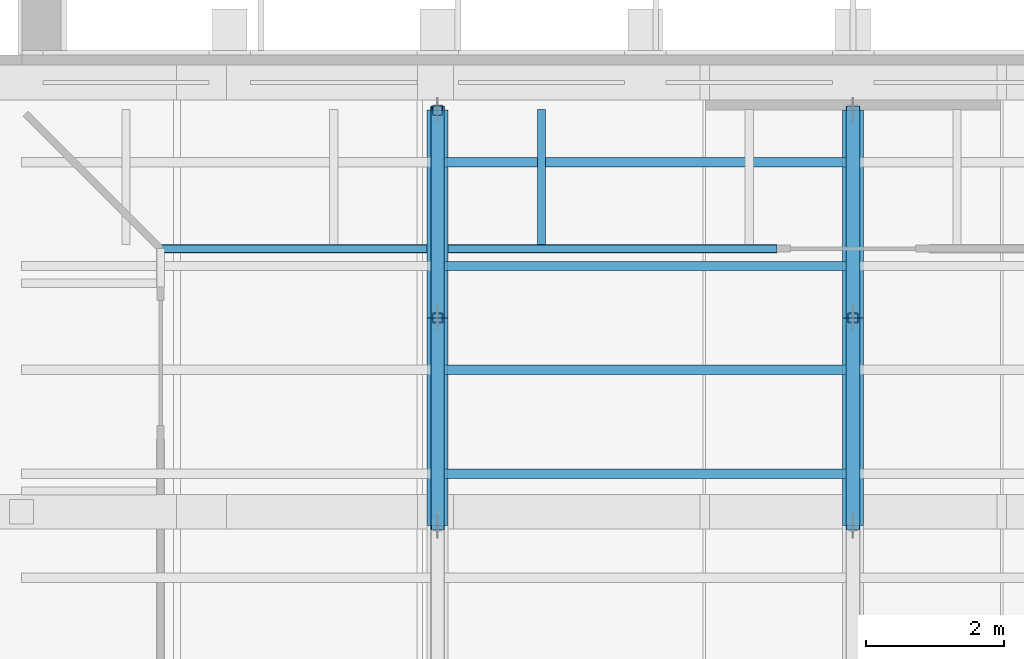
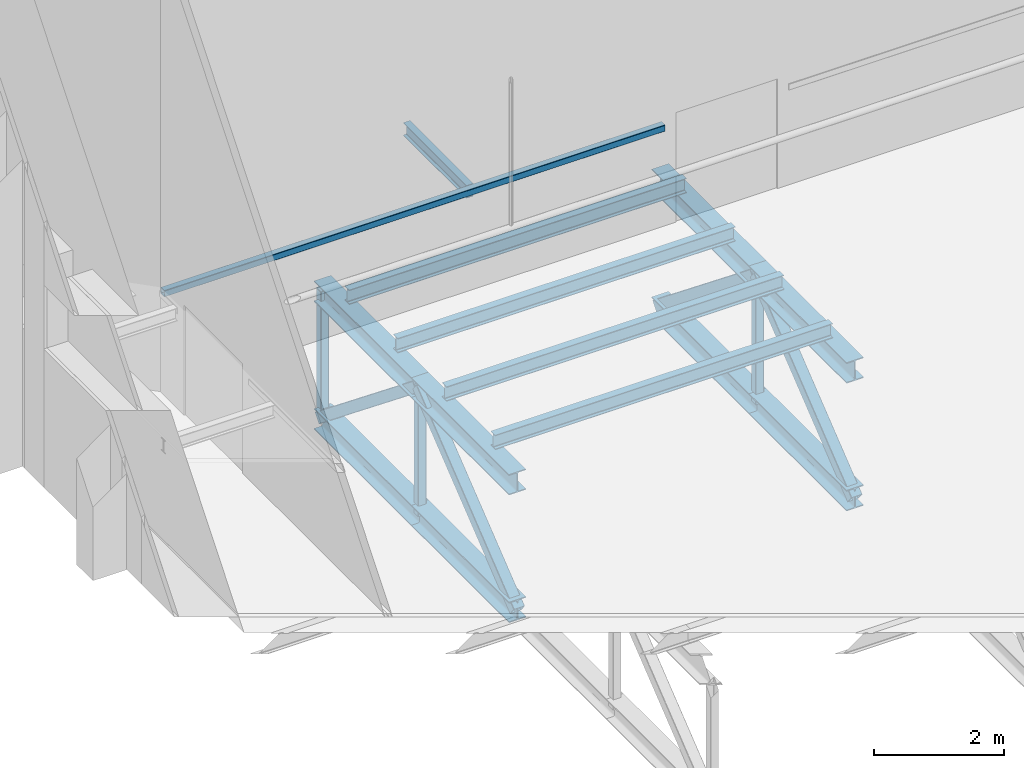
# One storey, part 32 of 55: 17 members, 4 beams.
"""IFC4 building model written with IfcOpenShell, lengths in metres."""

from ifc_helpers import new_model, si_unit, direction, frame, origin, origin_2d, place, context, subcontext, project, spatial, hollow_rectangle, i_section, extrude, material, material_profile, profile_set, type_object, element, save


model = new_model("IFC4")

# Units and contexts
model_context = context("Model", 3, precision=1e-05, world=origin(), true_north=direction((0.0, 1.0)))
body_context = subcontext(model_context, "Body", "Model", "MODEL_VIEW")
ifc_project = project(units=[si_unit("LENGTHUNIT", "METRE"), si_unit("AREAUNIT", "SQUARE_METRE"), si_unit("VOLUMEUNIT", "CUBIC_METRE"), si_unit("PLANEANGLEUNIT", "RADIAN"), si_unit("MASSUNIT", "GRAM", prefix="KILO")], contexts=[model_context])

# Site, building, storey
site_placement = place(None, origin())
site = spatial("IfcSite", under=ifc_project, at=site_placement, CompositionType="ELEMENT")
building_placement = place(site_placement, origin())
building = spatial("IfcBuilding", under=site, at=building_placement, Name="Lunette Opera House", CompositionType="ELEMENT")
storey_placement = place(building_placement, frame((0.0, 0.0, 34.0)))
storey = spatial("IfcBuildingStorey", under=building, at=storey_placement, Name="L06", CompositionType="ELEMENT", Elevation=34.0)

# Members
ifc_material_1 = material(Name="Steel S355", Category="steel")
ifc_material_profile_1 = material_profile(ifc_material_1, i_section(OverallWidth=0.1201171875, OverallDepth=0.239990234375, WebThickness=0.006103515625, FlangeThickness=0.009765625, FilletRadius=0.014892578125, at=origin_2d()), Name="IPE 240")
ifc_profile_set_1 = profile_set([ifc_material_profile_1], Name="Steel S355")
member_type_1 = type_object("IfcMemberType", Name="BRACKET IPE 240", PredefinedType="MEMBER", material=ifc_profile_set_1)
member_1_placement = place(storey_placement, frame((91.5, 120.010009765625, 1.820068359375), z_axis=(0.0, -1.0, 0.0), x_axis=(1.0, 0.0, 0.0)))
element("IfcMember", 1, at=member_1_placement, inside=storey, type_object=member_type_1, Name="mem-ST-L06-LOFT-BKN915-1200", PredefinedType="MEMBER", context=body_context, shape_type="SweptSolid", body=[
    extrude(i_section(OverallWidth=0.1201171875, OverallDepth=0.239990234375, WebThickness=0.006103515625, FlangeThickness=0.009765625, FilletRadius=0.014892578125, at=origin_2d()), origin(), (0.0, 0.0, 1.0), 1.949951171875),
])
ifc_material_2 = material(Name="Steel S355", Category="steel")
ifc_material_profile_2 = material_profile(ifc_material_2, i_section(OverallWidth=0.300048828125, OverallDepth=0.389892578125, WebThickness=0.010986328125, FlangeThickness=0.01904296875, FilletRadius=0.027099609375, at=origin_2d()), Name="HEA 400")
ifc_profile_set_2 = profile_set([ifc_material_profile_2], Name="Steel S355")
member_type_2 = type_object("IfcMemberType", Name="CHORD HEA 400", PredefinedType="CHORD", material=ifc_profile_set_2)
for number, where, z_axis, x_axis, name in (
    (2, (90.0, 114.0, -0.6650390625), (0.0, 1.0, 0.0), (-1.0, 0.0, 0.0), "mem-ST-L06-ST-TR01-TC7"),
    (3, (90.0, 114.0, -3.06494140625), (0.0, 1.0, 0.0), (-1.0, 0.0, 0.0), "mem-ST-L06-ST-TR01-BC7"),
    (4, (90.0, 117.0, -0.6650390625), (0.0, 1.0, 0.0), (-1.0, 0.0, 0.0), "mem-ST-L06-ST-TR01-TC8"),
    (5, (90.0, 117.0, -3.06494140625), (0.0, 1.0, 0.0), (-1.0, 0.0, 0.0), "mem-ST-L06-ST-TR01-BC8"),
    (6, (96.0, 114.0, -0.6650390625), (0.0, 1.0, 0.0), (-1.0, 0.0, 0.0), "mem-ST-L06-ST-TR02-TC7"),
    (7, (96.0, 114.0, -3.06494140625), (0.0, 1.0, 0.0), (-1.0, 0.0, 0.0), "mem-ST-L06-ST-TR02-BC7"),
    (8, (96.0, 117.0, -0.6650390625), (0.0, 1.0, 0.0), (-1.0, 0.0, 0.0), "mem-ST-L06-ST-TR02-TC8"),
    (9, (96.0, 117.0, -3.06494140625), (0.0, 1.0, 0.0), (-1.0, 0.0, 0.0), "mem-ST-L06-ST-TR02-BC8"),
):
    element("IfcMember", number, at=place(storey_placement, frame(where, z_axis=z_axis, x_axis=x_axis)), inside=storey, type_object=member_type_2, Name=name, PredefinedType="CHORD", context=body_context, shape_type="SweptSolid", body=[
        extrude(i_section(OverallWidth=0.300048828125, OverallDepth=0.389892578125, WebThickness=0.010986328125, FlangeThickness=0.01904296875, FilletRadius=0.027099609375, at=origin_2d()), origin(), (0.0, 0.0, 1.0), 3.0),
    ])
ifc_material_3 = material(Name="Steel S355", Category="steel")
ifc_material_profile_3 = material_profile(ifc_material_3, hollow_rectangle(XDim=0.199951171875, YDim=0.199951171875, WallThickness=0.008056640625, InnerFilletRadius=0.008056640625, OuterFilletRadius=0.01611328125, at=origin_2d()), Name="RHS 200X200X8")
ifc_profile_set_3 = profile_set([ifc_material_profile_3], Name="Steel S355")
member_type_3 = type_object("IfcMemberType", Name="DIAGONAL RHS 200X200X8", PredefinedType="BRACE", material=ifc_profile_set_3)
for number, where, z_axis, x_axis, name in (
    (10, (90.0, 114.0, -3.06494140625), (0.0, 0.780881208953, 0.624679547852), (-1.0, 0.0, 0.0), "mem-ST-L06-ST-TR01-TD7"),
    (11, (90.0, 117.0, -0.6650390625), (0.0, 0.780881208953, -0.624679547852), (-1.0, 0.0, 0.0), "mem-ST-L06-ST-TR01-TD8"),
    (12, (96.0, 114.0, -3.06494140625), (0.0, 0.780881208953, 0.624679547852), (-1.0, 0.0, 0.0), "mem-ST-L06-ST-TR02-TD7"),
    (13, (96.0, 117.0, -0.6650390625), (0.0, 0.780881208953, -0.624679547852), (-1.0, 0.0, 0.0), "mem-ST-L06-ST-TR02-TD8"),
):
    element("IfcMember", number, at=place(storey_placement, frame(where, z_axis=z_axis, x_axis=x_axis)), inside=storey, type_object=member_type_3, Name=name, PredefinedType="BRACE", context=body_context, shape_type="SweptSolid", body=[
        extrude(hollow_rectangle(XDim=0.199951171875, YDim=0.199951171875, WallThickness=0.008056640625, InnerFilletRadius=0.008056640625, OuterFilletRadius=0.01611328125, at=origin_2d()), origin(), (0.0, 0.0, 1.0), 3.841796875),
    ])
ifc_material_4 = material(Name="Steel S355", Category="steel")
ifc_material_profile_4 = material_profile(ifc_material_4, hollow_rectangle(XDim=0.1201171875, YDim=0.1201171875, WallThickness=0.006103515625, InnerFilletRadius=0.006103515625, OuterFilletRadius=0.011962890625, at=origin_2d()), Name="RHS 120X120X6")
ifc_profile_set_4 = profile_set([ifc_material_profile_4], Name="Steel S355")
member_type_4 = type_object("IfcMemberType", Name="EDGE RHS 120X120X6", PredefinedType="MEMBER", material=ifc_profile_set_4)
member_2_placement = place(storey_placement, frame((86.0, 118.0, 1.8798828125), z_axis=(1.0, 0.0, 0.0), x_axis=(0.0, 1.0, 0.0)))
element("IfcMember", 14, at=member_2_placement, inside=storey, type_object=member_type_4, Name="mem-ST-L06-LOFT-EDN", PredefinedType="MEMBER", context=body_context, shape_type="SweptSolid", body=[
    extrude(hollow_rectangle(XDim=0.1201171875, YDim=0.1201171875, WallThickness=0.006103515625, InnerFilletRadius=0.006103515625, OuterFilletRadius=0.011962890625, at=origin_2d()), origin(), (0.0, 0.0, 1.0), 8.89990234375),
])

# Beams
ifc_material_5 = material(Name="Steel S355", Category="steel")
ifc_material_profile_5 = material_profile(ifc_material_5, i_section(OverallWidth=0.135009765625, OverallDepth=0.27001953125, WebThickness=0.006591796875, FlangeThickness=0.01025390625, FilletRadius=0.014892578125, at=origin_2d()), Name="IPE 270")
ifc_profile_set_5 = profile_set([ifc_material_profile_5], Name="Steel S355")
beam_type = type_object("IfcBeamType", Name="STEEL BEAM IPE 270", PredefinedType="BEAM", material=ifc_profile_set_5)
for number, where, z_axis, x_axis, name in (
    (15, (90.0, 114.75, -0.3349609375), (1.0, 0.0, 0.0), (0.0, 1.0, 0.0), "beam-ST-L06-GRID-11475-2"),
    (16, (90.0, 116.25, -0.3349609375), (1.0, 0.0, 0.0), (0.0, 1.0, 0.0), "beam-ST-L06-GRID-11625-2"),
    (17, (90.0, 117.75, -0.3349609375), (1.0, 0.0, 0.0), (0.0, 1.0, 0.0), "beam-ST-L06-GRID-11775-2"),
    (18, (90.0, 119.25, -0.3349609375), (1.0, 0.0, 0.0), (0.0, 1.0, 0.0), "beam-ST-L06-GRID-11925-2"),
):
    element("IfcBeam", number, at=place(storey_placement, frame(where, z_axis=z_axis, x_axis=x_axis)), inside=storey, type_object=beam_type, Name=name, PredefinedType="BEAM", context=body_context, shape_type="SweptSolid", body=[
        extrude(i_section(OverallWidth=0.135009765625, OverallDepth=0.27001953125, WebThickness=0.006591796875, FlangeThickness=0.01025390625, FilletRadius=0.014892578125, at=origin_2d()), origin(), (0.0, 0.0, 1.0), 6.0),
    ])

# Members
ifc_material_6 = material(Name="Steel S355", Category="steel")
ifc_material_profile_6 = material_profile(ifc_material_6, hollow_rectangle(XDim=0.14990234375, YDim=0.14990234375, WallThickness=0.008056640625, InnerFilletRadius=0.008056640625, OuterFilletRadius=0.01611328125, at=origin_2d()), Name="RHS 150X150X8")
ifc_profile_set_6 = profile_set([ifc_material_profile_6], Name="Steel S355")
member_type_5 = type_object("IfcMemberType", Name="VERTICAL RHS 150X150X8", PredefinedType="POST", material=ifc_profile_set_6)
for number, where, z_axis, x_axis, name in (
    (19, (90.0, 117.0, -3.06494140625), (0.0, 0.0, 1.0), (1.0, 0.0, 0.0), "mem-ST-L06-ST-TR01-TV8"),
    (20, (90.0, 120.0, -3.06494140625), (0.0, 0.0, 1.0), (1.0, 0.0, 0.0), "mem-ST-L06-ST-TR01-TV9"),
    (21, (96.0, 117.0, -3.06494140625), (0.0, 0.0, 1.0), (1.0, 0.0, 0.0), "mem-ST-L06-ST-TR02-TV8"),
):
    element("IfcMember", number, at=place(storey_placement, frame(where, z_axis=z_axis, x_axis=x_axis)), inside=storey, type_object=member_type_5, Name=name, PredefinedType="POST", context=body_context, shape_type="SweptSolid", body=[
        extrude(hollow_rectangle(XDim=0.14990234375, YDim=0.14990234375, WallThickness=0.008056640625, InnerFilletRadius=0.008056640625, OuterFilletRadius=0.01611328125, at=origin_2d()), origin(), (0.0, 0.0, 1.0), 2.39990234375),
    ])

save(model, "model.ifc")
